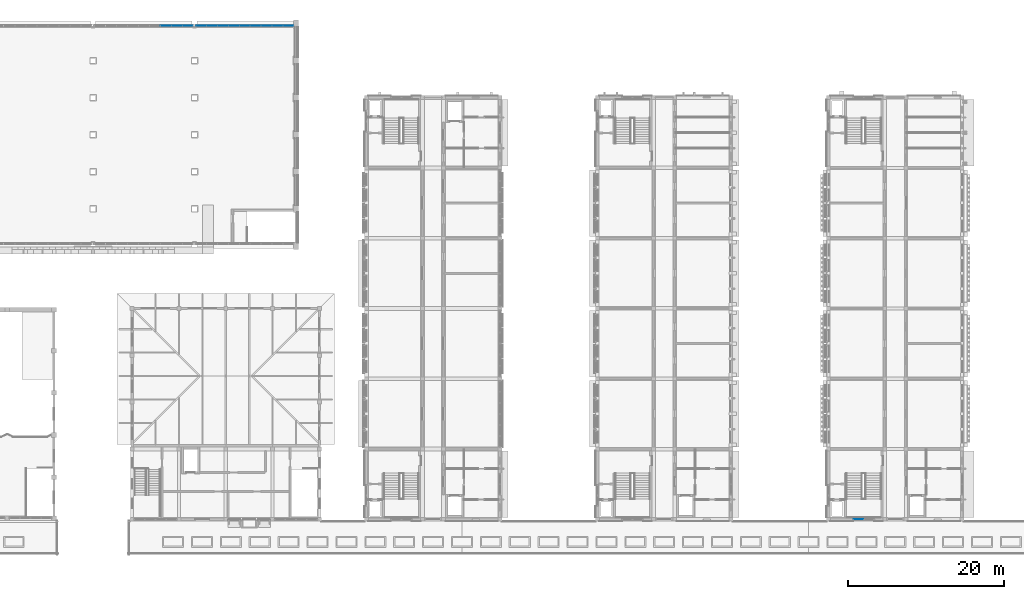
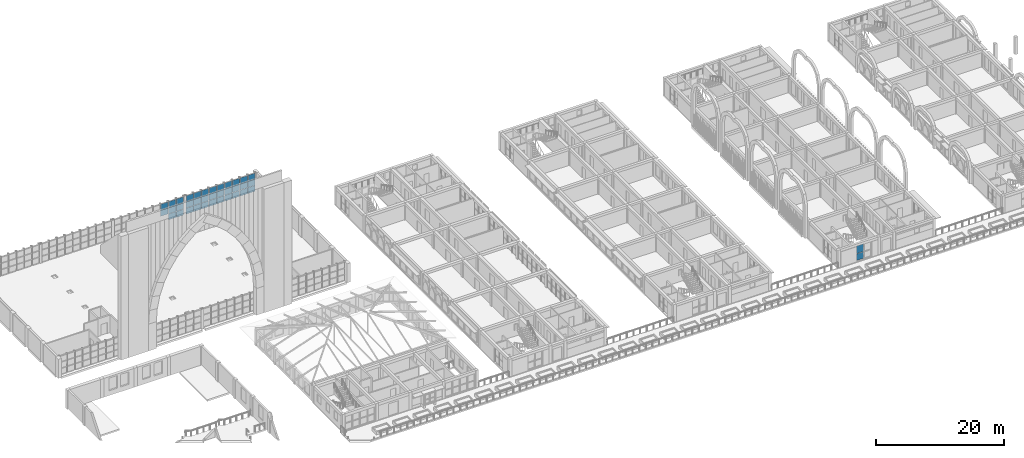
# One storey, part 40 of 82: 37 plates, 3 elements without a shape of their own.
"""IFC4 building model written with IfcOpenShell, lengths in metres."""

from ifc_helpers import new_model, si_unit, direction, frame, origin, origin_2d, place, context, subcontext, project, spatial, rectangle, extrude, material, layer, layer_set, type_object, element, aggregate, save


model = new_model("IFC4")

# Units and contexts
model_context = context("Model", 3, precision=1e-05, world=origin(), true_north=direction((0.0, 1.0)))
body_context = subcontext(model_context, "Body", "Model", "MODEL_VIEW")
ifc_project = project(units=[si_unit("LENGTHUNIT", "METRE"), si_unit("AREAUNIT", "SQUARE_METRE"), si_unit("VOLUMEUNIT", "CUBIC_METRE"), si_unit("PLANEANGLEUNIT", "RADIAN"), si_unit("MASSUNIT", "GRAM", prefix="KILO")], contexts=[model_context])

# Site, building, storey
site_placement = place(None, origin())
site = spatial("IfcSite", under=ifc_project, at=site_placement, CompositionType="ELEMENT")
building_placement = place(site_placement, origin())
building = spatial("IfcBuilding", under=site, at=building_placement, Name="Elbe Cascade School", CompositionType="ELEMENT")
storey_placement = place(building_placement, frame((0.0, 0.0, 4.5)))
storey = spatial("IfcBuildingStorey", under=building, at=storey_placement, Name="L01", CompositionType="ELEMENT", Elevation=4.5)

# Curtain wall, plates
ifc_material_1 = material(Name="Aluminium frame with double glazing, bronze anodised", Category="aluminium")
ifc_layer_1 = layer(ifc_material_1, 0.159912109375)
ifc_layer_set_1 = layer_set([ifc_layer_1], Name="Aluminium frame with double glazing, bronze anodised")
curtain_wall_type_1 = type_object("IfcCurtainWallType", Name="Bars envelope Curtain wall, aluminium, bronze anodised, storey-high slot", PredefinedType="NOTDEFINED", material=ifc_layer_set_1)
curtain_wall_1_placement = place(storey_placement, origin())
curtain_wall_1 = element("IfcCurtainWall", 1, at=curtain_wall_1_placement, inside=storey, type_object=curtain_wall_type_1, Name="Curtain wall CW4 C.L01.s1", PredefinedType="NOTDEFINED")
ifc_material_2 = material(Name="Glass - double glazed low-E", Category="glass")
ifc_layer_2 = layer(ifc_material_2, 0.028076171875)
ifc_layer_set_2 = layer_set([ifc_layer_2], Name="Glass - double glazed low-E")
plate_type_1 = type_object("IfcPlateType", Name="Bars envelope Curtain wall glazing panel 28 mm, double glazed, storey-high slot", PredefinedType="CURTAIN_PANEL", material=ifc_layer_set_2)
plate_1_placement = place(storey_placement, frame((132.0400390625, 6.0, 0.06005859375), z_axis=(0.0, 0.0, 1.0), x_axis=(-1.0, 0.0, 0.0)))
plate_1 = element("IfcPlate", 2, at=plate_1_placement, type_object=plate_type_1, Name="CW4 panel 2.1", PredefinedType="CURTAIN_PANEL", context=body_context, shape_type="SweptSolid", body=[
    extrude(rectangle(XDim=1.260009765625, YDim=0.028076171875, at=origin_2d()), origin(), (0.0, 0.0, 1.0), 1.260009765625),
])
plate_2_placement = place(storey_placement, frame((132.0400390625, 6.0, 1.380126953125), z_axis=(0.0, 0.0, 1.0), x_axis=(-1.0, 0.0, 0.0)))
plate_2 = element("IfcPlate", 3, at=plate_2_placement, type_object=plate_type_1, Name="CW4 panel 2.2", PredefinedType="CURTAIN_PANEL", context=body_context, shape_type="SweptSolid", body=[
    extrude(rectangle(XDim=1.260009765625, YDim=0.028076171875, at=origin_2d()), origin(), (0.0, 0.0, 1.0), 1.4599609375),
])
aggregate(curtain_wall_1, [plate_1, plate_2])

ifc_material_3 = material(Name="Glass - double glazed low-E", Category="glass")
curtain_wall_type_2 = type_object("IfcCurtainWallType", Name="Hall gable curtain wall", PredefinedType="NOTDEFINED", material=ifc_material_3)
curtain_wall_2_placement = place(storey_placement, origin())
curtain_wall_2 = element("IfcCurtainWall", 4, at=curtain_wall_2_placement, inside=storey, type_object=curtain_wall_type_2, Name="Gable curtain wall N3", PredefinedType="NOTDEFINED")
ifc_material_4 = material(Name="Glass - double glazed low-E", Category="glass")
ifc_layer_3 = layer(ifc_material_4, 0.028076171875)
ifc_layer_set_3 = layer_set([ifc_layer_3], Name="Glass - double glazed low-E")
plate_type_2 = type_object("IfcPlateType", Name="Hall gable glass panel", PredefinedType="CURTAIN_PANEL", material=ifc_layer_set_3)
plate_3_placement = place(storey_placement, frame((43.322265625, 69.199951171875, 1.22998046875), z_axis=(0.0, 0.0, 1.0), x_axis=(1.0, 0.0, 0.0)))
plate_3 = element("IfcPlate", 5, at=plate_3_placement, type_object=plate_type_2, Name="CW6 panel 7.2", PredefinedType="CURTAIN_PANEL", context=body_context, shape_type="SweptSolid", body=[
    extrude(rectangle(XDim=1.35107421875, YDim=0.028076171875, at=origin_2d()), origin(), (0.0, 0.0, 1.0), 1.139892578125),
])
plate_4_placement = place(storey_placement, frame((43.322265625, 69.199951171875, 2.43017578125), z_axis=(0.0, 0.0, 1.0), x_axis=(1.0, 0.0, 0.0)))
plate_4 = element("IfcPlate", 6, at=plate_4_placement, type_object=plate_type_2, Name="CW6 panel 7.3", PredefinedType="CURTAIN_PANEL", context=body_context, shape_type="SweptSolid", body=[
    extrude(rectangle(XDim=1.35107421875, YDim=0.028076171875, at=origin_2d()), origin(), (0.0, 0.0, 1.0), 1.110107421875),
])
plate_5_placement = place(storey_placement, frame((44.7333984375, 69.199951171875, 0.06005859375), z_axis=(0.0, 0.0, 1.0), x_axis=(1.0, 0.0, 0.0)))
plate_5 = element("IfcPlate", 7, at=plate_5_placement, type_object=plate_type_2, Name="CW6 panel 8.1", PredefinedType="CURTAIN_PANEL", context=body_context, shape_type="SweptSolid", body=[
    extrude(rectangle(XDim=1.35107421875, YDim=0.028076171875, at=origin_2d()), origin(), (0.0, 0.0, 1.0), 1.110107421875),
])
plate_6_placement = place(storey_placement, frame((44.7333984375, 69.199951171875, 1.22998046875), z_axis=(0.0, 0.0, 1.0), x_axis=(1.0, 0.0, 0.0)))
plate_6 = element("IfcPlate", 8, at=plate_6_placement, type_object=plate_type_2, Name="CW6 panel 8.2", PredefinedType="CURTAIN_PANEL", context=body_context, shape_type="SweptSolid", body=[
    extrude(rectangle(XDim=1.35107421875, YDim=0.028076171875, at=origin_2d()), origin(), (0.0, 0.0, 1.0), 1.139892578125),
])
plate_7_placement = place(storey_placement, frame((44.7333984375, 69.199951171875, 2.43017578125), z_axis=(0.0, 0.0, 1.0), x_axis=(1.0, 0.0, 0.0)))
plate_7 = element("IfcPlate", 9, at=plate_7_placement, type_object=plate_type_2, Name="CW6 panel 8.3", PredefinedType="CURTAIN_PANEL", context=body_context, shape_type="SweptSolid", body=[
    extrude(rectangle(XDim=1.35107421875, YDim=0.028076171875, at=origin_2d()), origin(), (0.0, 0.0, 1.0), 1.110107421875),
])
plate_8_placement = place(storey_placement, frame((46.12939453125, 69.199951171875, 0.06005859375), z_axis=(0.0, 0.0, 1.0), x_axis=(1.0, 0.0, 0.0)))
plate_8 = element("IfcPlate", 10, at=plate_8_placement, type_object=plate_type_2, Name="CW6 panel 9.1", PredefinedType="CURTAIN_PANEL", context=body_context, shape_type="SweptSolid", body=[
    extrude(rectangle(XDim=1.321044921875, YDim=0.028076171875, at=origin_2d()), origin(), (0.0, 0.0, 1.0), 1.110107421875),
])
plate_9_placement = place(storey_placement, frame((46.12939453125, 69.199951171875, 1.22998046875), z_axis=(0.0, 0.0, 1.0), x_axis=(1.0, 0.0, 0.0)))
plate_9 = element("IfcPlate", 11, at=plate_9_placement, type_object=plate_type_2, Name="CW6 panel 9.2", PredefinedType="CURTAIN_PANEL", context=body_context, shape_type="SweptSolid", body=[
    extrude(rectangle(XDim=1.321044921875, YDim=0.028076171875, at=origin_2d()), origin(), (0.0, 0.0, 1.0), 1.139892578125),
])
plate_10_placement = place(storey_placement, frame((46.12939453125, 69.199951171875, 2.43017578125), z_axis=(0.0, 0.0, 1.0), x_axis=(1.0, 0.0, 0.0)))
plate_10 = element("IfcPlate", 12, at=plate_10_placement, type_object=plate_type_2, Name="CW6 panel 9.3", PredefinedType="CURTAIN_PANEL", context=body_context, shape_type="SweptSolid", body=[
    extrude(rectangle(XDim=1.321044921875, YDim=0.028076171875, at=origin_2d()), origin(), (0.0, 0.0, 1.0), 1.110107421875),
])
aggregate(curtain_wall_2, [plate_3, plate_4, plate_5, plate_6, plate_7, plate_8, plate_9, plate_10])

curtain_wall_3_placement = place(storey_placement, origin())
curtain_wall_3 = element("IfcCurtainWall", 13, at=curtain_wall_3_placement, inside=storey, type_object=curtain_wall_type_2, Name="Gable curtain wall N4", PredefinedType="NOTDEFINED")
plate_11_placement = place(storey_placement, frame((47.8623046875, 69.199951171875, 0.06005859375), z_axis=(0.0, 0.0, 1.0), x_axis=(1.0, 0.0, 0.0)))
plate_11 = element("IfcPlate", 14, at=plate_11_placement, type_object=plate_type_2, Name="CW6 panel 1.1", PredefinedType="CURTAIN_PANEL", context=body_context, shape_type="SweptSolid", body=[
    extrude(rectangle(XDim=1.304443359375, YDim=0.028076171875, at=origin_2d()), origin(), (0.0, 0.0, 1.0), 1.110107421875),
])
plate_12_placement = place(storey_placement, frame((47.8623046875, 69.199951171875, 1.22998046875), z_axis=(0.0, 0.0, 1.0), x_axis=(1.0, 0.0, 0.0)))
plate_12 = element("IfcPlate", 15, at=plate_12_placement, type_object=plate_type_2, Name="CW6 panel 1.2", PredefinedType="CURTAIN_PANEL", context=body_context, shape_type="SweptSolid", body=[
    extrude(rectangle(XDim=1.304443359375, YDim=0.028076171875, at=origin_2d()), origin(), (0.0, 0.0, 1.0), 1.139892578125),
])
plate_13_placement = place(storey_placement, frame((47.8623046875, 69.199951171875, 2.43017578125), z_axis=(0.0, 0.0, 1.0), x_axis=(1.0, 0.0, 0.0)))
plate_13 = element("IfcPlate", 16, at=plate_13_placement, type_object=plate_type_2, Name="CW6 panel 1.3", PredefinedType="CURTAIN_PANEL", context=body_context, shape_type="SweptSolid", body=[
    extrude(rectangle(XDim=1.304443359375, YDim=0.028076171875, at=origin_2d()), origin(), (0.0, 0.0, 1.0), 1.110107421875),
])
plate_14_placement = place(storey_placement, frame((49.24169921875, 69.199951171875, 0.06005859375), z_axis=(0.0, 0.0, 1.0), x_axis=(1.0, 0.0, 0.0)))
plate_14 = element("IfcPlate", 17, at=plate_14_placement, type_object=plate_type_2, Name="CW6 panel 2.1", PredefinedType="CURTAIN_PANEL", context=body_context, shape_type="SweptSolid", body=[
    extrude(rectangle(XDim=1.33447265625, YDim=0.028076171875, at=origin_2d()), origin(), (0.0, 0.0, 1.0), 1.110107421875),
])
plate_15_placement = place(storey_placement, frame((49.24169921875, 69.199951171875, 1.22998046875), z_axis=(0.0, 0.0, 1.0), x_axis=(1.0, 0.0, 0.0)))
plate_15 = element("IfcPlate", 18, at=plate_15_placement, type_object=plate_type_2, Name="CW6 panel 2.2", PredefinedType="CURTAIN_PANEL", context=body_context, shape_type="SweptSolid", body=[
    extrude(rectangle(XDim=1.33447265625, YDim=0.028076171875, at=origin_2d()), origin(), (0.0, 0.0, 1.0), 1.139892578125),
])
plate_16_placement = place(storey_placement, frame((49.24169921875, 69.199951171875, 2.43017578125), z_axis=(0.0, 0.0, 1.0), x_axis=(1.0, 0.0, 0.0)))
plate_16 = element("IfcPlate", 19, at=plate_16_placement, type_object=plate_type_2, Name="CW6 panel 2.3", PredefinedType="CURTAIN_PANEL", context=body_context, shape_type="SweptSolid", body=[
    extrude(rectangle(XDim=1.33447265625, YDim=0.028076171875, at=origin_2d()), origin(), (0.0, 0.0, 1.0), 1.110107421875),
])
plate_17_placement = place(storey_placement, frame((50.63623046875, 69.199951171875, 0.06005859375), z_axis=(0.0, 0.0, 1.0), x_axis=(1.0, 0.0, 0.0)))
plate_17 = element("IfcPlate", 20, at=plate_17_placement, type_object=plate_type_2, Name="CW6 panel 3.1", PredefinedType="CURTAIN_PANEL", context=body_context, shape_type="SweptSolid", body=[
    extrude(rectangle(XDim=1.33447265625, YDim=0.028076171875, at=origin_2d()), origin(), (0.0, 0.0, 1.0), 1.110107421875),
])
plate_18_placement = place(storey_placement, frame((50.63623046875, 69.199951171875, 1.22998046875), z_axis=(0.0, 0.0, 1.0), x_axis=(1.0, 0.0, 0.0)))
plate_18 = element("IfcPlate", 21, at=plate_18_placement, type_object=plate_type_2, Name="CW6 panel 3.2", PredefinedType="CURTAIN_PANEL", context=body_context, shape_type="SweptSolid", body=[
    extrude(rectangle(XDim=1.33447265625, YDim=0.028076171875, at=origin_2d()), origin(), (0.0, 0.0, 1.0), 1.139892578125),
])
plate_19_placement = place(storey_placement, frame((50.63623046875, 69.199951171875, 2.43017578125), z_axis=(0.0, 0.0, 1.0), x_axis=(1.0, 0.0, 0.0)))
plate_19 = element("IfcPlate", 22, at=plate_19_placement, type_object=plate_type_2, Name="CW6 panel 3.3", PredefinedType="CURTAIN_PANEL", context=body_context, shape_type="SweptSolid", body=[
    extrude(rectangle(XDim=1.33447265625, YDim=0.028076171875, at=origin_2d()), origin(), (0.0, 0.0, 1.0), 1.110107421875),
])
plate_20_placement = place(storey_placement, frame((52.030517578125, 69.199951171875, 0.06005859375), z_axis=(0.0, 0.0, 1.0), x_axis=(1.0, 0.0, 0.0)))
plate_20 = element("IfcPlate", 23, at=plate_20_placement, type_object=plate_type_2, Name="CW6 panel 4.1", PredefinedType="CURTAIN_PANEL", context=body_context, shape_type="SweptSolid", body=[
    extrude(rectangle(XDim=1.33447265625, YDim=0.028076171875, at=origin_2d()), origin(), (0.0, 0.0, 1.0), 1.110107421875),
])
plate_21_placement = place(storey_placement, frame((52.030517578125, 69.199951171875, 1.22998046875), z_axis=(0.0, 0.0, 1.0), x_axis=(1.0, 0.0, 0.0)))
plate_21 = element("IfcPlate", 24, at=plate_21_placement, type_object=plate_type_2, Name="CW6 panel 4.2", PredefinedType="CURTAIN_PANEL", context=body_context, shape_type="SweptSolid", body=[
    extrude(rectangle(XDim=1.33447265625, YDim=0.028076171875, at=origin_2d()), origin(), (0.0, 0.0, 1.0), 1.139892578125),
])
plate_22_placement = place(storey_placement, frame((52.030517578125, 69.199951171875, 2.43017578125), z_axis=(0.0, 0.0, 1.0), x_axis=(1.0, 0.0, 0.0)))
plate_22 = element("IfcPlate", 25, at=plate_22_placement, type_object=plate_type_2, Name="CW6 panel 4.3", PredefinedType="CURTAIN_PANEL", context=body_context, shape_type="SweptSolid", body=[
    extrude(rectangle(XDim=1.33447265625, YDim=0.028076171875, at=origin_2d()), origin(), (0.0, 0.0, 1.0), 1.110107421875),
])
plate_23_placement = place(storey_placement, frame((53.425048828125, 69.199951171875, 0.06005859375), z_axis=(0.0, 0.0, 1.0), x_axis=(1.0, 0.0, 0.0)))
plate_23 = element("IfcPlate", 26, at=plate_23_placement, type_object=plate_type_2, Name="CW6 panel 5.1", PredefinedType="CURTAIN_PANEL", context=body_context, shape_type="SweptSolid", body=[
    extrude(rectangle(XDim=1.33447265625, YDim=0.028076171875, at=origin_2d()), origin(), (0.0, 0.0, 1.0), 1.110107421875),
])
plate_24_placement = place(storey_placement, frame((53.425048828125, 69.199951171875, 1.22998046875), z_axis=(0.0, 0.0, 1.0), x_axis=(1.0, 0.0, 0.0)))
plate_24 = element("IfcPlate", 27, at=plate_24_placement, type_object=plate_type_2, Name="CW6 panel 5.2", PredefinedType="CURTAIN_PANEL", context=body_context, shape_type="SweptSolid", body=[
    extrude(rectangle(XDim=1.33447265625, YDim=0.028076171875, at=origin_2d()), origin(), (0.0, 0.0, 1.0), 1.139892578125),
])
plate_25_placement = place(storey_placement, frame((53.425048828125, 69.199951171875, 2.43017578125), z_axis=(0.0, 0.0, 1.0), x_axis=(1.0, 0.0, 0.0)))
plate_25 = element("IfcPlate", 28, at=plate_25_placement, type_object=plate_type_2, Name="CW6 panel 5.3", PredefinedType="CURTAIN_PANEL", context=body_context, shape_type="SweptSolid", body=[
    extrude(rectangle(XDim=1.33447265625, YDim=0.028076171875, at=origin_2d()), origin(), (0.0, 0.0, 1.0), 1.110107421875),
])
plate_26_placement = place(storey_placement, frame((54.8193359375, 69.199951171875, 0.06005859375), z_axis=(0.0, 0.0, 1.0), x_axis=(1.0, 0.0, 0.0)))
plate_26 = element("IfcPlate", 29, at=plate_26_placement, type_object=plate_type_2, Name="CW6 panel 6.1", PredefinedType="CURTAIN_PANEL", context=body_context, shape_type="SweptSolid", body=[
    extrude(rectangle(XDim=1.33447265625, YDim=0.028076171875, at=origin_2d()), origin(), (0.0, 0.0, 1.0), 1.110107421875),
])
plate_27_placement = place(storey_placement, frame((54.8193359375, 69.199951171875, 1.22998046875), z_axis=(0.0, 0.0, 1.0), x_axis=(1.0, 0.0, 0.0)))
plate_27 = element("IfcPlate", 30, at=plate_27_placement, type_object=plate_type_2, Name="CW6 panel 6.2", PredefinedType="CURTAIN_PANEL", context=body_context, shape_type="SweptSolid", body=[
    extrude(rectangle(XDim=1.33447265625, YDim=0.028076171875, at=origin_2d()), origin(), (0.0, 0.0, 1.0), 1.139892578125),
])
plate_28_placement = place(storey_placement, frame((54.8193359375, 69.199951171875, 2.43017578125), z_axis=(0.0, 0.0, 1.0), x_axis=(1.0, 0.0, 0.0)))
plate_28 = element("IfcPlate", 31, at=plate_28_placement, type_object=plate_type_2, Name="CW6 panel 6.3", PredefinedType="CURTAIN_PANEL", context=body_context, shape_type="SweptSolid", body=[
    extrude(rectangle(XDim=1.33447265625, YDim=0.028076171875, at=origin_2d()), origin(), (0.0, 0.0, 1.0), 1.110107421875),
])
plate_29_placement = place(storey_placement, frame((56.2138671875, 69.199951171875, 0.06005859375), z_axis=(0.0, 0.0, 1.0), x_axis=(1.0, 0.0, 0.0)))
plate_29 = element("IfcPlate", 32, at=plate_29_placement, type_object=plate_type_2, Name="CW6 panel 7.1", PredefinedType="CURTAIN_PANEL", context=body_context, shape_type="SweptSolid", body=[
    extrude(rectangle(XDim=1.33447265625, YDim=0.028076171875, at=origin_2d()), origin(), (0.0, 0.0, 1.0), 1.110107421875),
])
plate_30_placement = place(storey_placement, frame((56.2138671875, 69.199951171875, 1.22998046875), z_axis=(0.0, 0.0, 1.0), x_axis=(1.0, 0.0, 0.0)))
plate_30 = element("IfcPlate", 33, at=plate_30_placement, type_object=plate_type_2, Name="CW6 panel 7.2", PredefinedType="CURTAIN_PANEL", context=body_context, shape_type="SweptSolid", body=[
    extrude(rectangle(XDim=1.33447265625, YDim=0.028076171875, at=origin_2d()), origin(), (0.0, 0.0, 1.0), 1.139892578125),
])
plate_31_placement = place(storey_placement, frame((56.2138671875, 69.199951171875, 2.43017578125), z_axis=(0.0, 0.0, 1.0), x_axis=(1.0, 0.0, 0.0)))
plate_31 = element("IfcPlate", 34, at=plate_31_placement, type_object=plate_type_2, Name="CW6 panel 7.3", PredefinedType="CURTAIN_PANEL", context=body_context, shape_type="SweptSolid", body=[
    extrude(rectangle(XDim=1.33447265625, YDim=0.028076171875, at=origin_2d()), origin(), (0.0, 0.0, 1.0), 1.110107421875),
])
plate_32_placement = place(storey_placement, frame((57.6083984375, 69.199951171875, 0.06005859375), z_axis=(0.0, 0.0, 1.0), x_axis=(1.0, 0.0, 0.0)))
plate_32 = element("IfcPlate", 35, at=plate_32_placement, type_object=plate_type_2, Name="CW6 panel 8.1", PredefinedType="CURTAIN_PANEL", context=body_context, shape_type="SweptSolid", body=[
    extrude(rectangle(XDim=1.33447265625, YDim=0.028076171875, at=origin_2d()), origin(), (0.0, 0.0, 1.0), 1.110107421875),
])
plate_33_placement = place(storey_placement, frame((57.6083984375, 69.199951171875, 1.22998046875), z_axis=(0.0, 0.0, 1.0), x_axis=(1.0, 0.0, 0.0)))
plate_33 = element("IfcPlate", 36, at=plate_33_placement, type_object=plate_type_2, Name="CW6 panel 8.2", PredefinedType="CURTAIN_PANEL", context=body_context, shape_type="SweptSolid", body=[
    extrude(rectangle(XDim=1.33447265625, YDim=0.028076171875, at=origin_2d()), origin(), (0.0, 0.0, 1.0), 1.139892578125),
])
plate_34_placement = place(storey_placement, frame((57.6083984375, 69.199951171875, 2.43017578125), z_axis=(0.0, 0.0, 1.0), x_axis=(1.0, 0.0, 0.0)))
plate_34 = element("IfcPlate", 37, at=plate_34_placement, type_object=plate_type_2, Name="CW6 panel 8.3", PredefinedType="CURTAIN_PANEL", context=body_context, shape_type="SweptSolid", body=[
    extrude(rectangle(XDim=1.33447265625, YDim=0.028076171875, at=origin_2d()), origin(), (0.0, 0.0, 1.0), 1.110107421875),
])
plate_35_placement = place(storey_placement, frame((58.98779296875, 69.199951171875, 0.06005859375), z_axis=(0.0, 0.0, 1.0), x_axis=(1.0, 0.0, 0.0)))
plate_35 = element("IfcPlate", 38, at=plate_35_placement, type_object=plate_type_2, Name="CW6 panel 9.1", PredefinedType="CURTAIN_PANEL", context=body_context, shape_type="SweptSolid", body=[
    extrude(rectangle(XDim=1.304443359375, YDim=0.028076171875, at=origin_2d()), origin(), (0.0, 0.0, 1.0), 1.110107421875),
])
plate_36_placement = place(storey_placement, frame((58.98779296875, 69.199951171875, 1.22998046875), z_axis=(0.0, 0.0, 1.0), x_axis=(1.0, 0.0, 0.0)))
plate_36 = element("IfcPlate", 39, at=plate_36_placement, type_object=plate_type_2, Name="CW6 panel 9.2", PredefinedType="CURTAIN_PANEL", context=body_context, shape_type="SweptSolid", body=[
    extrude(rectangle(XDim=1.304443359375, YDim=0.028076171875, at=origin_2d()), origin(), (0.0, 0.0, 1.0), 1.139892578125),
])
plate_37_placement = place(storey_placement, frame((58.98779296875, 69.199951171875, 2.43017578125), z_axis=(0.0, 0.0, 1.0), x_axis=(1.0, 0.0, 0.0)))
plate_37 = element("IfcPlate", 40, at=plate_37_placement, type_object=plate_type_2, Name="CW6 panel 9.3", PredefinedType="CURTAIN_PANEL", context=body_context, shape_type="SweptSolid", body=[
    extrude(rectangle(XDim=1.304443359375, YDim=0.028076171875, at=origin_2d()), origin(), (0.0, 0.0, 1.0), 1.110107421875),
])
aggregate(curtain_wall_3, [plate_11, plate_12, plate_13, plate_14, plate_15, plate_16, plate_17, plate_18, plate_19, plate_20, plate_21, plate_22, plate_23, plate_24, plate_25, plate_26, plate_27, plate_28, plate_29, plate_30, plate_31, plate_32, plate_33, plate_34, plate_35, plate_36, plate_37])

save(model, "model.ifc")
